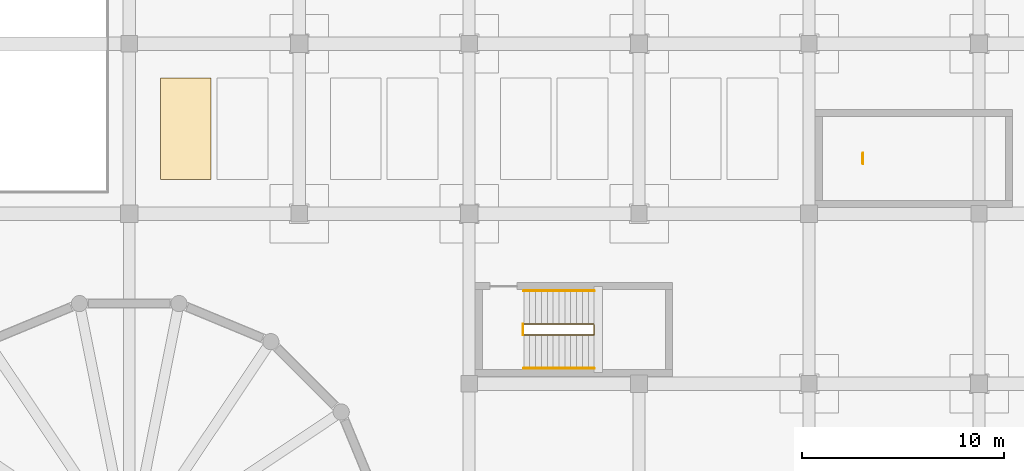
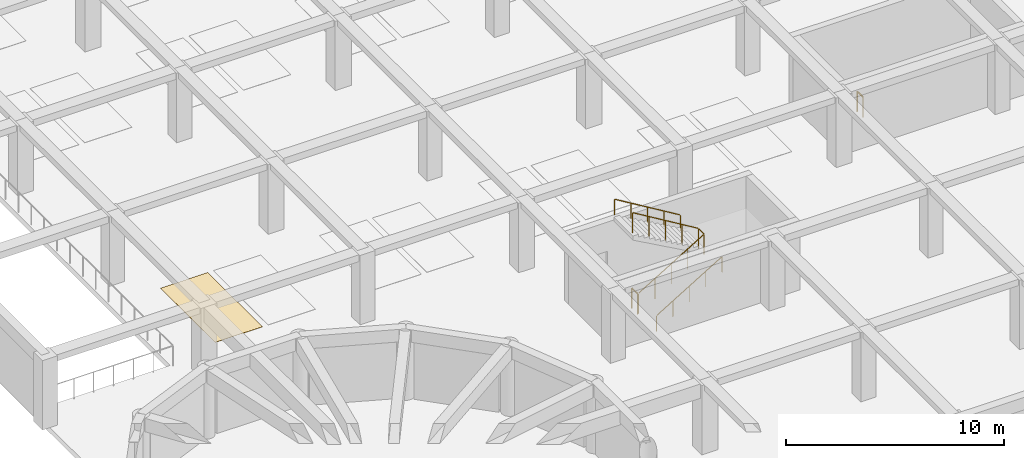
# One storey, part 23 of 32: 5 railings, 1 covering.
"""IFC4 building model written with IfcOpenShell, lengths in metres."""

from ifc_helpers import new_model, si_unit, direction, frame, origin, origin_2d, place, context, subcontext, project, spatial, rectangle, circle, extrude, material, layer, layer_set, type_object, element, save


model = new_model("IFC4")

# Units and contexts
model_context = context("Model", 3, precision=1e-05, world=origin(), true_north=direction((0.0, 1.0)))
body_context = subcontext(model_context, "Body", "Model", "MODEL_VIEW")
ifc_project = project(units=[si_unit("LENGTHUNIT", "METRE"), si_unit("AREAUNIT", "SQUARE_METRE"), si_unit("VOLUMEUNIT", "CUBIC_METRE"), si_unit("PLANEANGLEUNIT", "RADIAN"), si_unit("MASSUNIT", "GRAM", prefix="KILO")], contexts=[model_context])

# Site, building, storey
site_placement = place(None, origin())
site = spatial("IfcSite", under=ifc_project, at=site_placement, CompositionType="ELEMENT")
building_placement = place(site_placement, origin())
building = spatial("IfcBuilding", under=site, at=building_placement, Name="Almacenes y Pasaje Nevantli", CompositionType="ELEMENT")
storey_placement = place(building_placement, frame((0.0, 0.0, -4.199951171875)))
storey = spatial("IfcBuildingStorey", under=building, at=storey_placement, Name="B01", CompositionType="ELEMENT", Elevation=-4.199951171875)

# Covering
ifc_material_1 = material(Name="Thermoplastic Traffic Deck Marking", Category="stone")
ifc_layer = layer(ifc_material_1, 0.010009765625)
ifc_layer_set = layer_set([ifc_layer], Name="Thermoplastic Traffic Deck Marking")
covering_type = type_object("IfcCoveringType", Name="COV-PARK-BAY", PredefinedType="FLOORING", material=ifc_layer_set)
covering_placement = place(storey_placement, frame((11.199951171875, 29.39990234375, 0.0), z_axis=(0.0, 0.0, 1.0), x_axis=(1.0, 0.0, 0.0)))
element("IfcCovering", 1, at=covering_placement, inside=storey, type_object=covering_type, Name="B01 Underground Parking Bay Marking #55", PredefinedType="FLOORING", context=body_context, shape_type="SweptSolid", body=[
    extrude(rectangle(XDim=2.5, YDim=5.0, at=origin_2d()), origin(), (0.0, 0.0, 1.0), 0.010009765625),
])

# Railings
ifc_material_2 = material(Name="Brushed Stainless Steel and Tempered Safety Glass", Category="steel")
railing_type_1 = type_object("IfcRailingType", Name="RL-GUARD-1100", PredefinedType="BALUSTRADE", material=ifc_material_2)
railing_1_placement = place(storey_placement, frame((27.89990234375, 19.2099609375, 0.0)))
element("IfcRailing", 2, at=railing_1_placement, inside=storey, type_object=railing_type_1, Name="B01 Stair ST-04 Inner Well Guard Balustrade", PredefinedType="BALUSTRADE", context=body_context, shape_type="SweptSolid", body=[
    extrude(circle(Radius=0.02392578125, at=origin_2d()), frame((0.025634765625, 0.0, 1.141357421875), z_axis=(0.856202320911, 0.0, 0.516640673647), x_axis=(0.0, 1.0, 0.0)), (0.0, 0.0, 1.0), 4.00439453125),
    extrude(circle(Radius=0.02392578125, at=origin_2d()), frame((3.47998046875, 0.030029296875, 3.2255859375), z_axis=(0.0, 1.0, 0.0), x_axis=(-1.0, 0.0, 0.0)), (0.0, 0.0, 1.0), 0.469970703125),
    extrude(circle(Radius=0.02392578125, at=origin_2d()), frame((3.454345703125, 0.530029296875, 3.2412109375), z_axis=(-0.856175749803, 0.0, 0.516684706034), x_axis=(0.0, -1.0, 0.0)), (0.0, 0.0, 1.0), 4.004638671875),
    extrude(circle(Radius=0.02099609375, at=origin_2d()), origin(), (0.0, 0.0, 1.0), 1.096923828125),
    extrude(circle(Radius=0.02099609375, at=origin_2d()), frame((0.8701171875, 0.0, 0.52490234375)), (0.0, 0.0, 1.0), 1.096923828125),
    extrude(circle(Radius=0.02099609375, at=origin_2d()), frame((1.739990234375, 0.0, 1.0498046875)), (0.0, 0.0, 1.0), 1.096923828125),
    extrude(circle(Radius=0.02099609375, at=origin_2d()), frame((2.60986328125, 0.0, 1.574951171875)), (0.0, 0.0, 1.0), 1.096923828125),
    extrude(circle(Radius=0.02099609375, at=origin_2d()), frame((3.47998046875, 0.0, 2.099853515625)), (0.0, 0.0, 1.0), 1.096923828125),
    extrude(circle(Radius=0.02099609375, at=origin_2d()), frame((3.47998046875, 0.530029296875, 2.099853515625)), (0.0, 0.0, 1.0), 1.096923828125),
    extrude(circle(Radius=0.02099609375, at=origin_2d()), frame((2.60986328125, 0.530029296875, 2.625)), (0.0, 0.0, 1.0), 1.096923828125),
    extrude(circle(Radius=0.02099609375, at=origin_2d()), frame((1.739990234375, 0.530029296875, 3.14990234375)), (0.0, 0.0, 1.0), 1.096923828125),
    extrude(circle(Radius=0.02099609375, at=origin_2d()), frame((0.8701171875, 0.530029296875, 3.6748046875)), (0.0, 0.0, 1.0), 1.096923828125),
    extrude(circle(Radius=0.02099609375, at=origin_2d()), frame((0.0, 0.530029296875, 4.199951171875)), (0.0, 0.0, 1.0), 1.096923828125),
])
for number, where, name in (
    (3, (27.860107421875, 19.2099609375, 0.0), "B01 Stair ST-04 Landing Well Slot Guard"),
    (4, (44.659912109375, 27.659912109375, 0.0), "B01 Stair ST-14 Landing Well Slot Guard"),
):
    element("IfcRailing", number, at=place(storey_placement, frame(where)), inside=storey, type_object=railing_type_1, Name=name, PredefinedType="BALUSTRADE", context=body_context, shape_type="SweptSolid", body=[
        extrude(circle(Radius=0.02392578125, at=origin_2d()), frame((0.0, 0.030029296875, 1.1259765625), z_axis=(0.0, 1.0, 0.0), x_axis=(-1.0, 0.0, 0.0)), (0.0, 0.0, 1.0), 0.469970703125),
        extrude(circle(Radius=0.02099609375, at=origin_2d()), origin(), (0.0, 0.0, 1.0), 1.096923828125),
        extrude(circle(Radius=0.02099609375, at=origin_2d()), frame((0.0, 0.530029296875, 0.0)), (0.0, 0.0, 1.0), 1.096923828125),
    ])
ifc_material_3 = material(Name="Brushed Stainless Steel Tube", Category="steel")
railing_type_2 = type_object("IfcRailingType", Name="RL-HANDRAIL-900", PredefinedType="HANDRAIL", material=ifc_material_3)
railing_2_placement = place(storey_placement, frame((27.89990234375, 17.56005859375, 0.0)))
element("IfcRailing", 5, at=railing_2_placement, inside=storey, type_object=railing_type_2, Name="B01 Stair ST-04 Lower Flight Handrail", PredefinedType="HANDRAIL", context=body_context, shape_type="SweptSolid", body=[
    extrude(circle(Radius=0.02392578125, at=origin_2d()), frame((0.025634765625, 0.0, 0.891357421875), z_axis=(0.856202320911, 0.0, 0.516640673647), x_axis=(0.0, 1.0, 0.0)), (0.0, 0.0, 1.0), 4.00439453125),
    extrude(circle(Radius=0.02099609375, at=origin_2d()), origin(), (0.0, 0.0, 1.0), 0.846923828125),
    extrude(circle(Radius=0.02099609375, at=origin_2d()), frame((0.8701171875, 0.0, 0.52490234375)), (0.0, 0.0, 1.0), 0.846923828125),
    extrude(circle(Radius=0.02099609375, at=origin_2d()), frame((1.739990234375, 0.0, 1.0498046875)), (0.0, 0.0, 1.0), 0.846923828125),
    extrude(circle(Radius=0.02099609375, at=origin_2d()), frame((2.60986328125, 0.0, 1.574951171875)), (0.0, 0.0, 1.0), 0.846923828125),
    extrude(circle(Radius=0.02099609375, at=origin_2d()), frame((3.47998046875, 0.0, 2.099853515625)), (0.0, 0.0, 1.0), 0.846923828125),
])
railing_3_placement = place(storey_placement, frame((31.3798828125, 21.389892578125, 2.099853515625)))
element("IfcRailing", 6, at=railing_3_placement, inside=storey, type_object=railing_type_2, Name="B01 Stair ST-04 Upper Flight Handrail", PredefinedType="HANDRAIL", context=body_context, shape_type="SweptSolid", body=[
    extrude(circle(Radius=0.02392578125, at=origin_2d()), frame((-0.025634765625, 0.0, 0.891357421875), z_axis=(-0.856175749803, 0.0, 0.516684706034), x_axis=(0.0, -1.0, 0.0)), (0.0, 0.0, 1.0), 4.004638671875),
    extrude(circle(Radius=0.02099609375, at=origin_2d()), origin(), (0.0, 0.0, 1.0), 0.846923828125),
    extrude(circle(Radius=0.02099609375, at=origin_2d()), frame((-0.8701171875, 0.0, 0.52490234375)), (0.0, 0.0, 1.0), 0.846923828125),
    extrude(circle(Radius=0.02099609375, at=origin_2d()), frame((-1.739990234375, 0.0, 1.050048828125)), (0.0, 0.0, 1.0), 0.846923828125),
    extrude(circle(Radius=0.02099609375, at=origin_2d()), frame((-2.60986328125, 0.0, 1.5751953125)), (0.0, 0.0, 1.0), 0.846923828125),
    extrude(circle(Radius=0.02099609375, at=origin_2d()), frame((-3.47998046875, 0.0, 2.10009765625)), (0.0, 0.0, 1.0), 0.846923828125),
])

save(model, "model.ifc")
